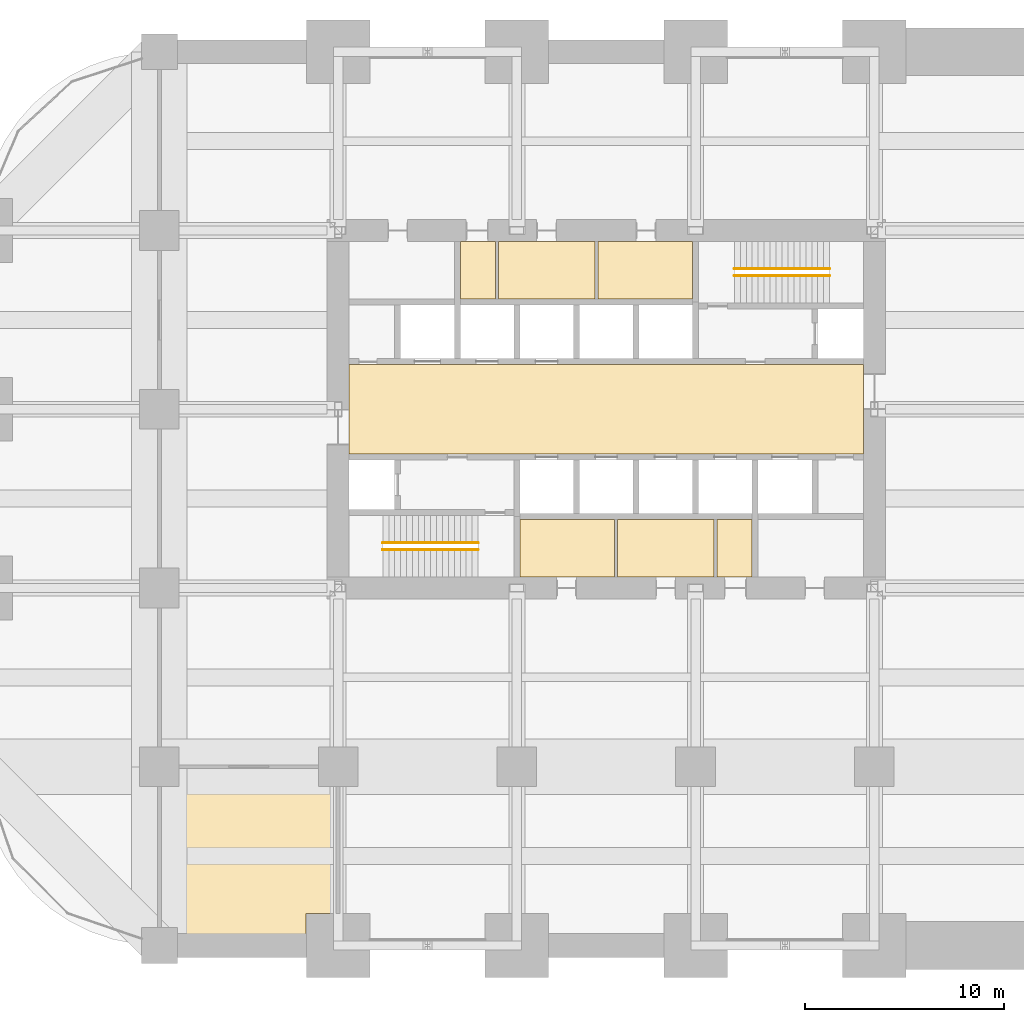
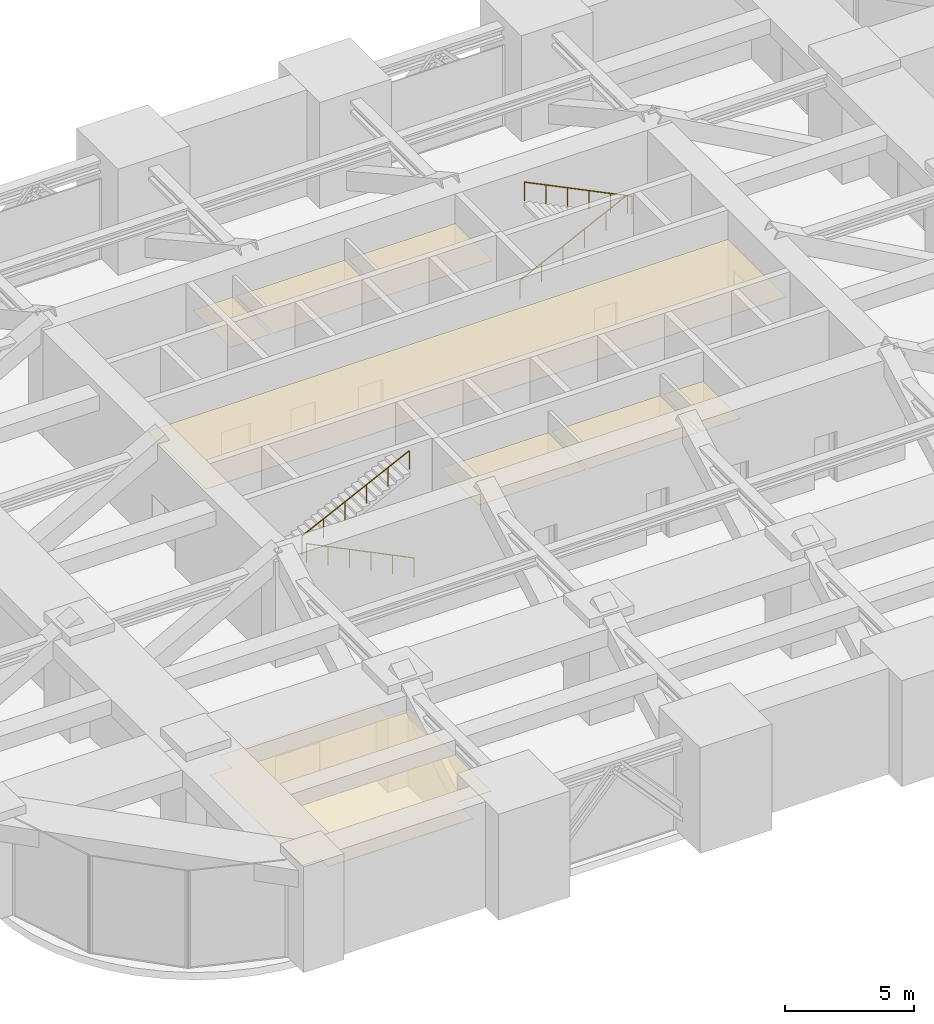
# One storey, part 38 of 38: 8 coverings, 4 railings.
"""IFC4 building model written with IfcOpenShell, lengths in metres."""

from ifc_helpers import new_model, si_unit, direction, frame, origin, origin_2d, place, context, subcontext, project, spatial, polyline, circle, outline, extrude, material, layer, layer_set, type_object, element, save


model = new_model("IFC4")

# Units and contexts
model_context = context("Model", 3, precision=1e-05, world=origin(), true_north=direction((0.0, 1.0)))
body_context = subcontext(model_context, "Body", "Model", "MODEL_VIEW")
ifc_project = project(units=[si_unit("LENGTHUNIT", "METRE"), si_unit("AREAUNIT", "SQUARE_METRE"), si_unit("VOLUMEUNIT", "CUBIC_METRE"), si_unit("PLANEANGLEUNIT", "RADIAN"), si_unit("MASSUNIT", "GRAM", prefix="KILO")], contexts=[model_context])

# Site, building, storey
site_placement = place(None, origin())
site = spatial("IfcSite", under=ifc_project, at=site_placement, CompositionType="ELEMENT")
building_placement = place(site_placement, origin())
building = spatial("IfcBuilding", under=site, at=building_placement, Name="Zorevar Civic Tower", CompositionType="ELEMENT")
storey_placement = place(building_placement, frame((0.0, 0.0, 157.199951171875)))
storey = spatial("IfcBuildingStorey", under=building, at=storey_placement, Name="L38", CompositionType="ELEMENT", Elevation=157.199951171875)

# Railings
ifc_material_1 = material(Name="Black steel handrail", Category="steel")
railing_type = type_object("IfcRailingType", Name="Handrail HR1 900", PredefinedType="HANDRAIL", material=ifc_material_1)
railing_1_placement = place(storey_placement, frame((25.050048828125, 19.925048828125, 0.147216796875)))
element("IfcRailing", 1, at=railing_1_placement, inside=storey, type_object=railing_type, Name="Handrail HR1 ST1 L38", PredefinedType="HANDRAIL", context=body_context, shape_type="SweptSolid", body=[
    extrude(circle(Radius=0.02392578125, at=origin_2d()), frame((0.0, 0.0, 0.8759765625), z_axis=(-0.89793417156, 0.0, 0.440129780343), x_axis=(0.0, -1.0, 0.0)), (0.0, 0.0, 1.0), 5.345703125),
    extrude(circle(Radius=0.02099609375, at=origin_2d()), origin(), (0.0, 0.0, 1.0), 0.851806640625),
    extrude(circle(Radius=0.02099609375, at=origin_2d()), frame((-0.9599609375, 0.0, 0.470458984375)), (0.0, 0.0, 1.0), 0.851806640625),
    extrude(circle(Radius=0.02099609375, at=origin_2d()), frame((-1.919921875, 0.0, 0.941162109375)), (0.0, 0.0, 1.0), 0.851806640625),
    extrude(circle(Radius=0.02099609375, at=origin_2d()), frame((-2.880126953125, 0.0, 1.41162109375)), (0.0, 0.0, 1.0), 0.851806640625),
    extrude(circle(Radius=0.02099609375, at=origin_2d()), frame((-3.840087890625, 0.0, 1.88232421875)), (0.0, 0.0, 1.0), 0.851806640625),
    extrude(circle(Radius=0.02099609375, at=origin_2d()), frame((-4.800048828125, 0.0, 2.352783203125)), (0.0, 0.0, 1.0), 0.851806640625),
])
for number, where, name in (
    (2, (20.25, 20.27490234375, 2.647216796875), "Handrail HR1 ST1 L38"),
    (3, (37.949951171875, 34.074951171875, 0.147216796875), "Handrail HR1 ST2 L38"),
):
    element("IfcRailing", number, at=place(storey_placement, frame(where)), inside=storey, type_object=railing_type, Name=name, PredefinedType="HANDRAIL", context=body_context, shape_type="SweptSolid", body=[
        extrude(circle(Radius=0.02392578125, at=origin_2d()), frame((0.0, 0.0, 0.8759765625), z_axis=(0.89793417156, 0.0, 0.440129780343), x_axis=(0.0, 1.0, 0.0)), (0.0, 0.0, 1.0), 5.345703125),
        extrude(circle(Radius=0.02099609375, at=origin_2d()), origin(), (0.0, 0.0, 1.0), 0.851806640625),
        extrude(circle(Radius=0.02099609375, at=origin_2d()), frame((0.9599609375, 0.0, 0.470458984375)), (0.0, 0.0, 1.0), 0.851806640625),
        extrude(circle(Radius=0.02099609375, at=origin_2d()), frame((1.919921875, 0.0, 0.941162109375)), (0.0, 0.0, 1.0), 0.851806640625),
        extrude(circle(Radius=0.02099609375, at=origin_2d()), frame((2.880126953125, 0.0, 1.41162109375)), (0.0, 0.0, 1.0), 0.851806640625),
        extrude(circle(Radius=0.02099609375, at=origin_2d()), frame((3.840087890625, 0.0, 1.88232421875)), (0.0, 0.0, 1.0), 0.851806640625),
        extrude(circle(Radius=0.02099609375, at=origin_2d()), frame((4.800048828125, 0.0, 2.352783203125)), (0.0, 0.0, 1.0), 0.851806640625),
    ])
railing_2_placement = place(storey_placement, frame((42.75, 33.72509765625, 2.647216796875)))
element("IfcRailing", 4, at=railing_2_placement, inside=storey, type_object=railing_type, Name="Handrail HR1 ST2 L38", PredefinedType="HANDRAIL", context=body_context, shape_type="SweptSolid", body=[
    extrude(circle(Radius=0.02392578125, at=origin_2d()), frame((0.0, 0.0, 0.8759765625), z_axis=(-0.89793417156, 0.0, 0.440129780343), x_axis=(0.0, -1.0, 0.0)), (0.0, 0.0, 1.0), 5.345703125),
    extrude(circle(Radius=0.02099609375, at=origin_2d()), origin(), (0.0, 0.0, 1.0), 0.851806640625),
    extrude(circle(Radius=0.02099609375, at=origin_2d()), frame((-0.9599609375, 0.0, 0.470458984375)), (0.0, 0.0, 1.0), 0.851806640625),
    extrude(circle(Radius=0.02099609375, at=origin_2d()), frame((-1.919921875, 0.0, 0.941162109375)), (0.0, 0.0, 1.0), 0.851806640625),
    extrude(circle(Radius=0.02099609375, at=origin_2d()), frame((-2.880126953125, 0.0, 1.41162109375)), (0.0, 0.0, 1.0), 0.851806640625),
    extrude(circle(Radius=0.02099609375, at=origin_2d()), frame((-3.840087890625, 0.0, 1.88232421875)), (0.0, 0.0, 1.0), 0.851806640625),
    extrude(circle(Radius=0.02099609375, at=origin_2d()), frame((-4.800048828125, 0.0, 2.352783203125)), (0.0, 0.0, 1.0), 0.851806640625),
])

# Coverings
ifc_material_2 = material(Name="Moisture-resistant gypsum board")
ifc_layer_1 = layer(ifc_material_2, 0.012451171875)
ifc_layer_set_1 = layer_set([ifc_layer_1], Name="Moisture-resistant ceiling SC3")
covering_type_1 = type_object("IfcCoveringType", Name="Moisture-resistant ceiling SC3", PredefinedType="CEILING", material=ifc_layer_set_1)
covering_1_placement = place(storey_placement, frame((0.0, 0.0, 3.60009765625)))
element("IfcCovering", 5, at=covering_1_placement, inside=storey, type_object=covering_type_1, Name="Ceiling L38-05", PredefinedType="CEILING", context=body_context, shape_type="SweptSolid", body=[
    extrude(outline(polyline([(31.925048828125, 18.550048828125), (31.925048828125, 21.449951171875), (27.14990234375, 21.449951171875), (27.14990234375, 18.550048828125), (31.925048828125, 18.550048828125)])), origin(), (0.0, 0.0, 1.0), 0.012451171875),
])
covering_2_placement = place(storey_placement, frame((0.0, 0.0, 3.60009765625)))
element("IfcCovering", 6, at=covering_2_placement, inside=storey, type_object=covering_type_1, Name="Ceiling L38-06", PredefinedType="CEILING", context=body_context, shape_type="SweptSolid", body=[
    extrude(outline(polyline([(35.85009765625, 32.550048828125), (35.85009765625, 35.449951171875), (31.074951171875, 35.449951171875), (31.074951171875, 32.550048828125), (35.85009765625, 32.550048828125)])), origin(), (0.0, 0.0, 1.0), 0.012451171875),
])
covering_3_placement = place(storey_placement, frame((0.0, 0.0, 3.60009765625)))
element("IfcCovering", 7, at=covering_3_placement, inside=storey, type_object=covering_type_1, Name="Ceiling L38-07", PredefinedType="CEILING", context=body_context, shape_type="SweptSolid", body=[
    extrude(outline(polyline([(36.925048828125, 18.550048828125), (36.925048828125, 21.449951171875), (32.074951171875, 21.449951171875), (32.074951171875, 18.550048828125), (36.925048828125, 18.550048828125)])), origin(), (0.0, 0.0, 1.0), 0.012451171875),
])
covering_4_placement = place(storey_placement, frame((0.0, 0.0, 3.60009765625)))
element("IfcCovering", 8, at=covering_4_placement, inside=storey, type_object=covering_type_1, Name="Ceiling L38-08", PredefinedType="CEILING", context=body_context, shape_type="SweptSolid", body=[
    extrude(outline(polyline([(30.925048828125, 32.550048828125), (30.925048828125, 35.449951171875), (26.074951171875, 35.449951171875), (26.074951171875, 32.550048828125), (30.925048828125, 32.550048828125)])), origin(), (0.0, 0.0, 1.0), 0.012451171875),
])
covering_5_placement = place(storey_placement, frame((0.0, 0.0, 3.60009765625)))
element("IfcCovering", 9, at=covering_5_placement, inside=storey, type_object=covering_type_1, Name="Ceiling L38-09", PredefinedType="CEILING", context=body_context, shape_type="SweptSolid", body=[
    extrude(outline(polyline([(38.85009765625, 18.550048828125), (38.85009765625, 21.449951171875), (37.074951171875, 21.449951171875), (37.074951171875, 18.550048828125), (38.85009765625, 18.550048828125)])), origin(), (0.0, 0.0, 1.0), 0.012451171875),
])
covering_6_placement = place(storey_placement, frame((0.0, 0.0, 3.60009765625)))
element("IfcCovering", 10, at=covering_6_placement, inside=storey, type_object=covering_type_1, Name="Ceiling L38-10", PredefinedType="CEILING", context=body_context, shape_type="SweptSolid", body=[
    extrude(outline(polyline([(25.925048828125, 32.550048828125), (25.925048828125, 35.449951171875), (24.14990234375, 35.449951171875), (24.14990234375, 32.550048828125), (25.925048828125, 32.550048828125)])), origin(), (0.0, 0.0, 1.0), 0.012451171875),
])
ifc_material_3 = material(Name="Mineral fibre tiles on a concealed grid")
ifc_layer_2 = layer(ifc_material_3, 0.02001953125)
ifc_layer_set_2 = layer_set([ifc_layer_2], Name="Suspended ceiling SC1")
covering_type_2 = type_object("IfcCoveringType", Name="Suspended ceiling SC1", PredefinedType="CEILING", material=ifc_layer_set_2)
covering_7_placement = place(storey_placement, frame((0.0, 0.0, 3.60009765625)))
element("IfcCovering", 11, at=covering_7_placement, inside=storey, type_object=covering_type_2, Name="Ceiling L38-15", PredefinedType="CEILING", context=body_context, shape_type="SweptSolid", body=[
    extrude(outline(polyline([(44.449951171875, 24.75), (44.449951171875, 29.25), (18.550048828125, 29.25), (18.550048828125, 24.75), (44.449951171875, 24.75)])), origin(), (0.0, 0.0, 1.0), 0.02001953125),
])
covering_8_placement = place(storey_placement, frame((0.0, 0.0, 3.60009765625)))
element("IfcCovering", 12, at=covering_8_placement, inside=storey, type_object=covering_type_2, Name="Ceiling L38-18", PredefinedType="CEILING", context=body_context, shape_type="SweptSolid", body=[
    extrude(outline(polyline([(9.06005859375, 0.909912109375), (9.06005859375, 7.989990234375), (10.010009765625, 7.989990234375), (10.010009765625, 8.93994140625), (16.989990234375, 8.93994140625), (16.989990234375, 7.989990234375), (17.93994140625, 7.989990234375), (17.93994140625, 1.610107421875), (16.389892578125, 1.610107421875), (16.389892578125, 0.35009765625), (9.909912109375, 0.35009765625), (9.909912109375, 0.909912109375), (9.06005859375, 0.909912109375)])), origin(), (0.0, 0.0, 1.0), 0.02001953125),
])

save(model, "model.ifc")
